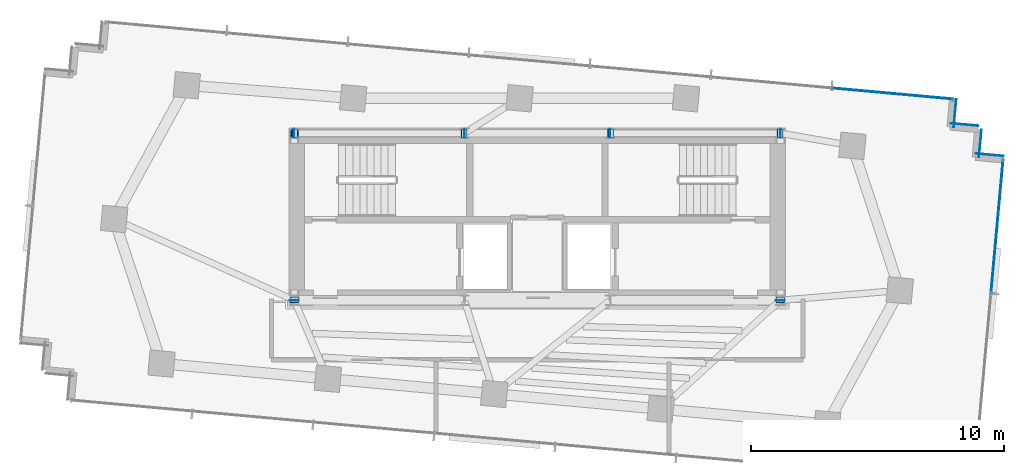
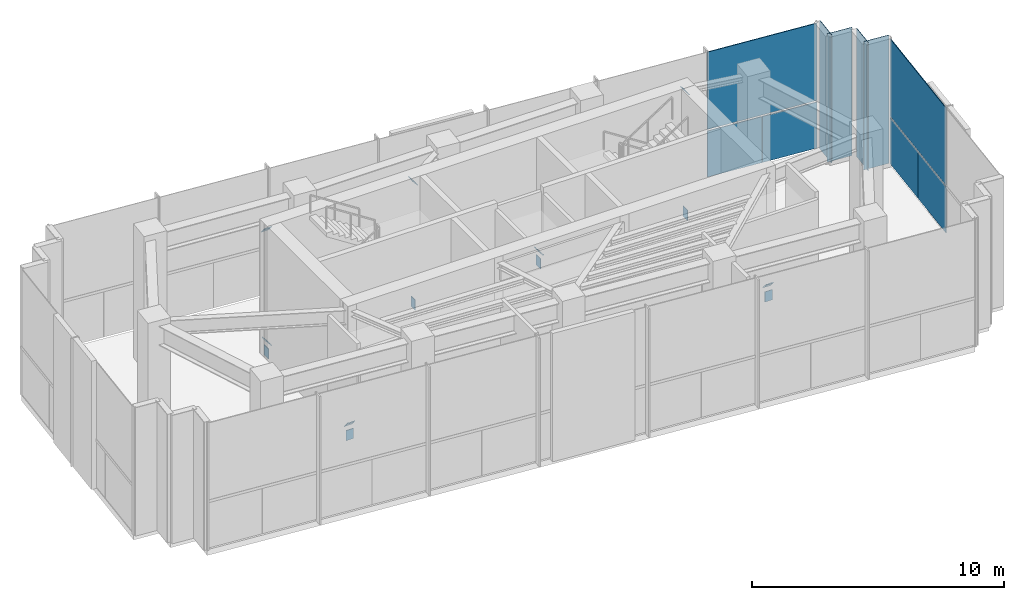
# One storey, part 15 of 18: 23 plates, 2 elements without a shape of their own.
"""IFC4 building model written with IfcOpenShell, lengths in metres."""

from ifc_helpers import new_model, si_unit, direction, frame, origin, origin_2d, place, context, subcontext, project, spatial, rectangle, extrude, source, transform, mapped, material, layer, layer_set, type_object, type_shapes, element, aggregate, save


model = new_model("IFC4")

# Units and contexts
model_context = context("Model", 3, precision=1e-05, world=origin(), true_north=direction((0.0, 1.0)))
body_context = subcontext(model_context, "Body", "Model", "MODEL_VIEW")
ifc_project = project(units=[si_unit("LENGTHUNIT", "METRE"), si_unit("AREAUNIT", "SQUARE_METRE"), si_unit("VOLUMEUNIT", "CUBIC_METRE"), si_unit("PLANEANGLEUNIT", "RADIAN"), si_unit("MASSUNIT", "GRAM", prefix="KILO")], contexts=[model_context])

# Site, building, storey
site_placement = place(None, origin())
site = spatial("IfcSite", under=ifc_project, at=site_placement, CompositionType="ELEMENT")
building_placement = place(site_placement, origin())
building = spatial("IfcBuilding", under=site, at=building_placement, Name="Astriad Promenade Condominiums", CompositionType="ELEMENT")
storey_placement = place(building_placement, frame((0.0, 0.0, 277.300048828125)))
storey = spatial("IfcBuildingStorey", under=building, at=storey_placement, Name="L78", CompositionType="ELEMENT", Elevation=277.300048828125)

# Plates
ifc_material_1 = material(Name="Steel ASTM A572 Grade 50", Category="steel")
ifc_layer_1 = layer(ifc_material_1, 0.02490234375)
ifc_layer_set_1 = layer_set([ifc_layer_1], Name="Steel ASTM A572 Grade 50")
plate_type_1 = type_object("IfcPlateType", Name="STEEL HOLLOW SECTION END CAP PLATE 30", PredefinedType="USERDEFINED", material=ifc_layer_set_1)
shared_shape_1 = source(origin(), body_context, "Body", "SweptSolid", [
    extrude(rectangle(XDim=0.3447265625, YDim=0.497314453125, at=origin_2d()), origin(), (0.0, 0.0, 1.0), 0.02490234375),
])
for number, where, z_axis, x_axis, name in (
    (1, (26.380126953125, 24.0, 0.119873046875), (1.0, 0.0, 0.0), (0.0, 1.0, 0.0), "Hollow Section End Cap Plate HCHORD-L78-01-A"),
    (2, (33.114990234375, 24.0, 0.119873046875), (1.0, 0.0, 0.0), (0.0, 1.0, 0.0), "Hollow Section End Cap Plate HCHORD-L78-01-B"),
    (3, (38.860107421875, 24.0, 0.119873046875), (1.0, 0.0, 0.0), (0.0, 1.0, 0.0), "Hollow Section End Cap Plate HCHORD-L78-02-A"),
    (4, (45.594970703125, 24.0, 0.119873046875), (1.0, 0.0, 0.0), (0.0, 1.0, 0.0), "Hollow Section End Cap Plate HCHORD-L78-02-B"),
    (5, (26.39990234375, 17.380126953125, 0.119873046875), (0.0, 1.0, 0.0), (-1.0, 0.0, 0.0), "Hollow Section End Cap Plate HCHORD-L78-03-A"),
    (6, (45.60009765625, 17.380126953125, 0.119873046875), (0.0, 1.0, 0.0), (-1.0, 0.0, 0.0), "Hollow Section End Cap Plate HCHORD-L78-04-A"),
):
    element("IfcPlate", number, at=place(storey_placement, frame(where, z_axis=z_axis, x_axis=x_axis)), inside=storey, type_object=plate_type_1, Name=name, ObjectType="STIFFENER_PLATE", PredefinedType="USERDEFINED", context=body_context, shape_type="MappedRepresentation", body=[
        mapped(shared_shape_1, transform((0.0, 0.0, 0.0), scale=1.0)),
    ])
shared_shape_2 = source(origin(), body_context, "Body", "SweptSolid", [
    extrude(rectangle(XDim=0.3447265625, YDim=0.3447265625, at=origin_2d()), origin(), (0.0, 0.0, 1.0), 0.02490234375),
])
type_shapes(plate_type_1, [shared_shape_1, shared_shape_2])
for number, where, z_axis, x_axis, name in (
    (7, (26.39990234375, 24.0, 0.619873046875), (0.776675511191, 0.0, 0.629900905155), (0.0, 1.0, 0.0), "Hollow Section End Cap Plate HBRACE-L78-01-A"),
    (8, (33.1005859375, 24.0, 6.054443359375), (0.776675511191, 0.0, 0.629900905155), (0.0, 1.0, 0.0), "Hollow Section End Cap Plate HBRACE-L78-01-B"),
    (9, (38.8798828125, 24.0, 0.619873046875), (0.776675511191, 0.0, 0.629900905155), (0.0, 1.0, 0.0), "Hollow Section End Cap Plate HBRACE-L78-02-A"),
    (10, (45.58056640625, 24.0, 6.054443359375), (0.776675511191, 0.0, 0.629900905155), (0.0, 1.0, 0.0), "Hollow Section End Cap Plate HBRACE-L78-02-B"),
    (11, (26.39990234375, 17.400146484375, 0.6201171875), (0.0, 0.771082160614, 0.636735660681), (-1.0, 0.0, 0.0), "Hollow Section End Cap Plate HBRACE-L78-03-A"),
    (12, (26.39990234375, 23.980712890625, 6.05419921875), (0.0, 0.771082160614, 0.636735660681), (-1.0, 0.0, 0.0), "Hollow Section End Cap Plate HBRACE-L78-03-B"),
    (13, (45.60009765625, 17.400146484375, 0.6201171875), (0.0, 0.771082160614, 0.636735660681), (-1.0, 0.0, 0.0), "Hollow Section End Cap Plate HBRACE-L78-04-A"),
):
    element("IfcPlate", number, at=place(storey_placement, frame(where, z_axis=z_axis, x_axis=x_axis)), inside=storey, type_object=plate_type_1, Name=name, ObjectType="STIFFENER_PLATE", PredefinedType="USERDEFINED", context=body_context, shape_type="MappedRepresentation", body=[
        mapped(shared_shape_2, transform((0.0, 0.0, 0.0), scale=1.0)),
    ])

# Curtain wall, plates
ifc_material_2 = material(Name="Anodised aluminium Black Dark Glass Unitised", Category="aluminium")
curtain_wall_type = type_object("IfcCurtainWallType", Name="CW-TMD-LANTERN", PredefinedType="USERDEFINED", material=ifc_material_2)
curtain_wall_1_placement = place(storey_placement, origin())
curtain_wall_1 = element("IfcCurtainWall", 14, at=curtain_wall_1_placement, inside=storey, type_object=curtain_wall_type, Name="CW-CRN-L78-13", ObjectType="UNITISED_CURTAIN_WALL", PredefinedType="USERDEFINED")
ifc_material_3 = material(Name="Translucent Acoustic Fritted Dark Glass", Category="glass")
ifc_layer_2 = layer(ifc_material_3, 0.035888671875)
ifc_layer_set_2 = layer_set([ifc_layer_2], Name="Translucent Acoustic Fritted Dark Glass")
plate_type_2 = type_object("IfcPlateType", Name="PNL-LANTERN-GLOW-36", PredefinedType="CURTAIN_PANEL", material=ifc_layer_set_2)
shared_shape_3 = source(origin(), body_context, "Body", "SweptSolid", [
    extrude(rectangle(XDim=2.637939453125, YDim=0.035888671875, at=origin_2d()), origin(), (0.0, 0.0, 1.0), 2.22998046875),
])
plate_1_placement = place(storey_placement, frame((54.281982421875, 21.63671875, 0.080078125), z_axis=(0.0, 0.0, 1.0), x_axis=(-0.090632580198, -0.995884398616, 0.0)))
plate_1 = element("IfcPlate", 15, at=plate_1_placement, type_object=plate_type_2, Name="CW-CRN-L78-13-PNL-00-VL", PredefinedType="CURTAIN_PANEL", context=body_context, shape_type="MappedRepresentation", body=[
    mapped(shared_shape_3, transform((0.0, 0.0, 0.0), scale=1.0)),
])
plate_2_placement = place(storey_placement, frame((54.0419921875, 18.99755859375, 0.080078125), z_axis=(0.0, 0.0, 1.0), x_axis=(-0.090632580198, -0.995884398616, 0.0)))
plate_2 = element("IfcPlate", 16, at=plate_2_placement, type_object=plate_type_2, Name="CW-CRN-L78-13-PNL-00-VR", PredefinedType="CURTAIN_PANEL", context=body_context, shape_type="MappedRepresentation", body=[
    mapped(shared_shape_3, transform((0.0, 0.0, 0.0), scale=1.0)),
])
shared_shape_4 = source(origin(), body_context, "Body", "SweptSolid", [
    extrude(rectangle(XDim=5.2880859375, YDim=0.035888671875, at=origin_2d()), origin(), (0.0, 0.0, 1.0), 3.75),
])
plate_3_placement = place(storey_placement, frame((54.162109375, 20.317138671875, 2.389892578125), z_axis=(0.0, 0.0, 1.0), x_axis=(-0.090632580198, -0.995884398616, 0.0)))
plate_3 = element("IfcPlate", 17, at=plate_3_placement, type_object=plate_type_2, Name="CW-CRN-L78-13-PNL-00-S", PredefinedType="CURTAIN_PANEL", context=body_context, shape_type="MappedRepresentation", body=[
    mapped(shared_shape_4, transform((0.0, 0.0, 0.0), scale=1.0)),
])
aggregate(curtain_wall_1, [plate_1, plate_2, plate_3])

# Plates
ifc_material_4 = material(Name="Powder-Coated White Aluminium Cladding Sheet", Category="aluminium")
ifc_layer_3 = layer(ifc_material_4, 0.01806640625)
ifc_layer_set_3 = layer_set([ifc_layer_3], Name="Powder-Coated White Aluminium Cladding Sheet")
plate_type_3 = type_object("IfcPlateType", Name="PNL-CROWN-RING-18", PredefinedType="SHEET", material=ifc_layer_set_3)
shared_shape_5 = source(origin(), body_context, "Body", "SweptSolid", [
    extrude(rectangle(XDim=1.10009765625, YDim=0.02490234375, at=origin_2d()), origin(), (0.0, 0.0, 1.0), 6.219970703125),
])
for number, where, z_axis, x_axis, name in (
    (18, (52.5, 24.785888671875, 0.0), (0.0, 0.0, 1.0), (-0.090632580198, -0.995884398616, 0.0), "PLT-CRN-L78-09"),
    (19, (52.871337890625, 24.340576171875, 0.0), (0.0, 0.0, 1.0), (0.995884398616, -0.090632580198, 0.0), "PLT-CRN-L78-10"),
    (20, (53.8671875, 23.1455078125, 0.0), (0.0, 0.0, 1.0), (0.995884398616, -0.090632580198, 0.0), "PLT-CRN-L78-12"),
):
    element("IfcPlate", number, at=place(storey_placement, frame(where, z_axis=z_axis, x_axis=x_axis)), inside=storey, type_object=plate_type_3, Name=name, PredefinedType="SHEET", context=body_context, shape_type="MappedRepresentation", body=[
        mapped(shared_shape_5, transform((0.0, 0.0, 0.0), scale=1.0)),
    ])
shared_shape_6 = source(origin(), body_context, "Body", "SweptSolid", [
    extrude(rectangle(XDim=1.099853515625, YDim=0.02490234375, at=origin_2d()), origin(), (0.0, 0.0, 1.0), 6.219970703125),
])
type_shapes(plate_type_3, [shared_shape_5, shared_shape_6])
plate_4_placement = place(storey_placement, frame((53.495849609375, 23.5908203125, 0.0), z_axis=(0.0, 0.0, 1.0), x_axis=(-0.090649961646, -0.995882816627, 0.0)))
element("IfcPlate", 21, at=plate_4_placement, inside=storey, type_object=plate_type_3, Name="PLT-CRN-L78-11", PredefinedType="SHEET", context=body_context, shape_type="MappedRepresentation", body=[
    mapped(shared_shape_6, transform((0.0, 0.0, 0.0), scale=1.0)),
])

# Curtain wall, plates
curtain_wall_2_placement = place(storey_placement, origin())
curtain_wall_2 = element("IfcCurtainWall", 22, at=curtain_wall_2_placement, inside=storey, type_object=curtain_wall_type, Name="CW-CRN-L78-08", ObjectType="UNITISED_CURTAIN_WALL", PredefinedType="USERDEFINED")
shared_shape_7 = source(origin(), body_context, "Body", "SweptSolid", [
    extrude(rectangle(XDim=2.387939453125, YDim=0.035888671875, at=origin_2d()), origin(), (0.0, 0.0, 1.0), 2.22998046875),
])
plate_5_placement = place(storey_placement, frame((48.825439453125, 25.6728515625, 0.080078125), z_axis=(0.0, 0.0, 1.0), x_axis=(0.995884398616, -0.090632580198, 0.0)))
plate_5 = element("IfcPlate", 23, at=plate_5_placement, type_object=plate_type_2, Name="CW-CRN-L78-08-PNL-06-VL", PredefinedType="CURTAIN_PANEL", context=body_context, shape_type="MappedRepresentation", body=[
    mapped(shared_shape_7, transform((0.0, 0.0, 0.0), scale=1.0)),
])
plate_6_placement = place(storey_placement, frame((51.215576171875, 25.455078125, 0.080078125), z_axis=(0.0, 0.0, 1.0), x_axis=(0.995884398616, -0.090632580198, 0.0)))
plate_6 = element("IfcPlate", 24, at=plate_6_placement, type_object=plate_type_2, Name="CW-CRN-L78-08-PNL-06-VR", PredefinedType="CURTAIN_PANEL", context=body_context, shape_type="MappedRepresentation", body=[
    mapped(shared_shape_7, transform((0.0, 0.0, 0.0), scale=1.0)),
])
shared_shape_8 = source(origin(), body_context, "Body", "SweptSolid", [
    extrude(rectangle(XDim=4.7880859375, YDim=0.035888671875, at=origin_2d()), origin(), (0.0, 0.0, 1.0), 3.75),
])
type_shapes(plate_type_2, [shared_shape_3, shared_shape_4, shared_shape_7, shared_shape_8])
plate_7_placement = place(storey_placement, frame((50.0205078125, 25.56396484375, 2.389892578125), z_axis=(0.0, 0.0, 1.0), x_axis=(0.995884398616, -0.090632580198, 0.0)))
plate_7 = element("IfcPlate", 25, at=plate_7_placement, type_object=plate_type_2, Name="CW-CRN-L78-08-PNL-06-S", PredefinedType="CURTAIN_PANEL", context=body_context, shape_type="MappedRepresentation", body=[
    mapped(shared_shape_8, transform((0.0, 0.0, 0.0), scale=1.0)),
])
aggregate(curtain_wall_2, [plate_5, plate_6, plate_7])

save(model, "model.ifc")
